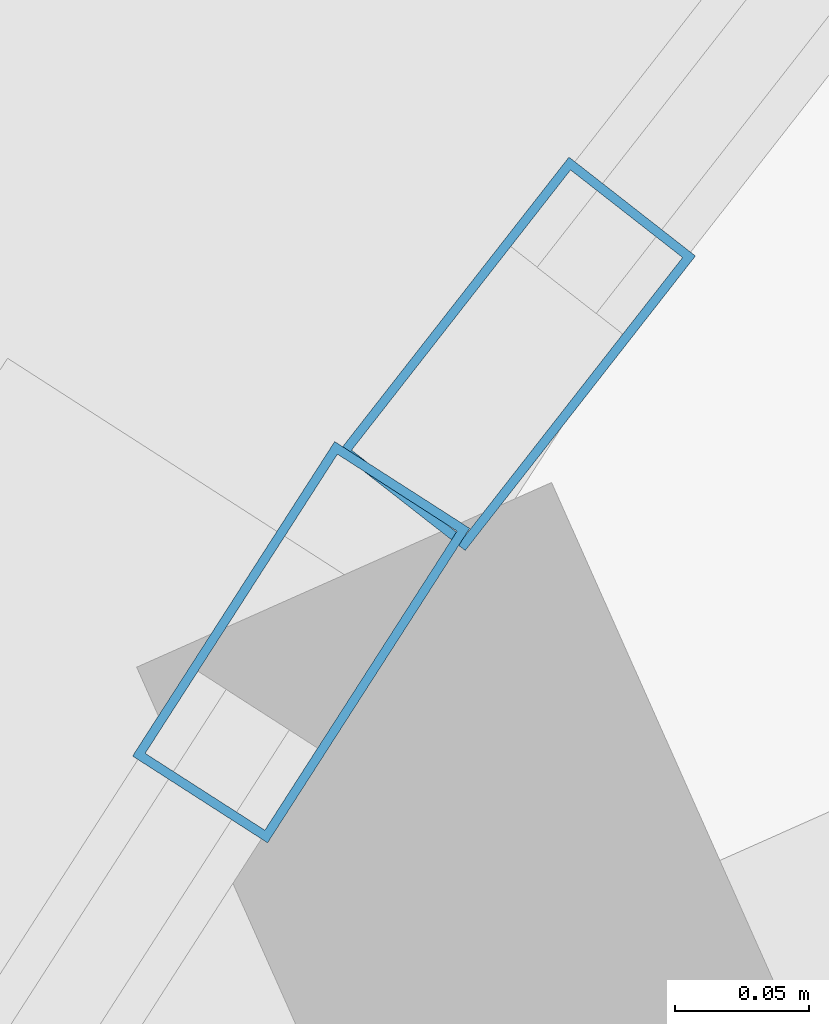
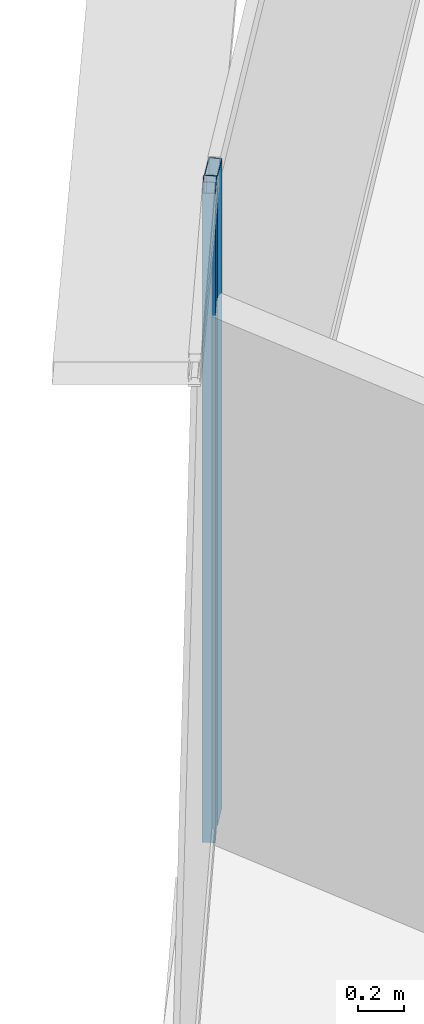
# One storey, part 17 of 36: 2 members, 2 elements without a shape of their own.
"""IFC4 building model written with IfcOpenShell, lengths in metres."""

import ifcopenshell
import ifcopenshell.guid

model = None  # the IFC model being written
_history = None  # IfcOwnerHistory: only IFC2X3 demands one
_inside = {}  # id of a spatial element -> (the spatial element, [elements in it])
_under = {}  # id of a project, library or spatial element -> (it, [spatial elements below it])
_declared = {}  # id of a project -> (the project, [libraries it declares])
_typed = {}  # id of a type object -> (the type object, [elements of that type])
_made_of = {}  # id of a material, layer set ... -> (it, [elements and type objects made of it])


def new_model(schema):
    """Start an empty IFC model of exactly this schema.

    Asked for "IFC4X3", IfcOpenShell would pick the latest addendum, in which some entities
    have other attributes; the version numbers below select the first issue.
    IFC2X3 requires an IfcOwnerHistory on every rooted entity: one is made here for all.
    """
    global model, _history
    if schema == "IFC4X3":
        model = ifcopenshell.file(schema_version=(4, 3, 0, 0))
    else:
        model = ifcopenshell.file(schema=schema)
    _inside.clear()
    _under.clear()
    _declared.clear()
    _typed.clear()
    _made_of.clear()
    _history = None
    if model.schema == "IFC2X3":
        org = make("IfcOrganization", Name="unknown")
        user = make(
            "IfcPersonAndOrganization",
            ThePerson=make("IfcPerson", FamilyName="unknown"),
            TheOrganization=org,
        )
        app = make(
            "IfcApplication",
            ApplicationDeveloper=org,
            Version="unknown",
            ApplicationFullName="unknown",
            ApplicationIdentifier="unknown",
        )
        _history = make(
            "IfcOwnerHistory",
            OwningUser=user,
            OwningApplication=app,
            ChangeAction="ADDED",
            CreationDate=0,
        )
    return model


def make(cls, **values):
    """One entity of the class cls with the attributes given. An attribute that is None is left unset."""
    return model.create_entity(
        cls, **{name: value for name, value in values.items() if value is not None}
    )


def rooted(cls, **values):
    """An entity with a GlobalId (a new one), such as an element, a storey or a relation."""
    return make(cls, GlobalId=ifcopenshell.guid.new(), OwnerHistory=_history, **values)


def si_unit(unit_type, name, prefix=None):
    """IfcSIUnit, for example si_unit("LENGTHUNIT", "METRE", prefix="MILLI")."""
    return make("IfcSIUnit", UnitType=unit_type, Prefix=prefix, Name=name)


def assignment(units):
    """IfcUnitAssignment: the units of a project."""
    return None if units is None else make("IfcUnitAssignment", Units=units)


def point(xyz):
    """IfcCartesianPoint."""
    return None if xyz is None else make("IfcCartesianPoint", Coordinates=xyz)


def direction(xyz):
    """IfcDirection."""
    return None if xyz is None else make("IfcDirection", DirectionRatios=xyz)


def frame(location, z_axis=None, x_axis=None):
    """IfcAxis2Placement3D, a coordinate frame: its origin and axes. An axis left out is left unset."""
    return make(
        "IfcAxis2Placement3D",
        Location=point(location),
        Axis=direction(z_axis),
        RefDirection=direction(x_axis),
    )


def frame_2d(location, x_axis=None):
    """IfcAxis2Placement2D, a coordinate frame in the plane: its origin and x axis."""
    return make(
        "IfcAxis2Placement2D", Location=point(location), RefDirection=direction(x_axis)
    )


def origin():
    """The frame at (0, 0, 0) with its axes left unset."""
    return frame((0.0, 0.0, 0.0))


def origin_2d():
    """The frame at (0, 0) in the plane with its x axis left unset."""
    return frame_2d((0.0, 0.0))


def place(relative_to, where):
    """IfcLocalPlacement: puts the frame where relative to a parent placement (None: the world)."""
    return make(
        "IfcLocalPlacement", PlacementRelTo=relative_to, RelativePlacement=where
    )


def context(
    kind, dimensions, precision=None, world=None, true_north=None, identifier=None
):
    """IfcGeometricRepresentationContext, for example the 3D "Model" context."""
    return make(
        "IfcGeometricRepresentationContext",
        ContextIdentifier=identifier,
        ContextType=kind,
        CoordinateSpaceDimension=dimensions,
        Precision=precision,
        WorldCoordinateSystem=world,
        TrueNorth=true_north,
    )


def subcontext(parent, identifier, kind, view, scale=None):
    """IfcGeometricRepresentationSubContext, for example "Body" below "Model"."""
    return make(
        "IfcGeometricRepresentationSubContext",
        ContextIdentifier=identifier,
        ContextType=kind,
        ParentContext=parent,
        TargetScale=scale,
        TargetView=view,
    )


def project(units=None, contexts=None):
    """IfcProject with its units and contexts."""
    return rooted(
        "IfcProject",
        Name="project",
        RepresentationContexts=contexts,
        UnitsInContext=assignment(units),
    )


def spatial(cls, under=None, at=None, **own):
    """A site, building, storey or space (cls), placed at a placement, below another one or the project."""
    s = rooted(cls, ObjectPlacement=at, **own)
    if under is not None:
        _under.setdefault(under.id(), (under, []))[1].append(s)
    return s


def profile(cls, at=None, kind="AREA", **sizes):
    """A parametric profile (cls). Its sizes go by their IFC names, for example OverallWidth=200.0."""
    return make(cls, ProfileType=kind, Position=at, **sizes)


def hollow_rectangle(**sizes):
    """IfcRectangleHollowProfileDef."""
    return profile("IfcRectangleHollowProfileDef", **sizes)


def extrude(swept, where, along, depth):
    """IfcExtrudedAreaSolid: the profile swept, set in the frame where, extruded along a direction by depth."""
    return make(
        "IfcExtrudedAreaSolid",
        SweptArea=swept,
        Position=where,
        ExtrudedDirection=direction(along),
        Depth=depth,
    )


def shape(context_of_items, identifier, shape_type, items):
    """IfcShapeRepresentation: the items that make up one representation, for example the "Body"."""
    return make(
        "IfcShapeRepresentation",
        ContextOfItems=context_of_items,
        RepresentationIdentifier=identifier,
        RepresentationType=shape_type,
        Items=items,
    )


def source(mapping_origin, context_of_items, identifier, shape_type, items):
    """IfcRepresentationMap: a shape defined once, which mapped items show again and again."""
    return make(
        "IfcRepresentationMap",
        MappingOrigin=mapping_origin,
        MappedRepresentation=shape(context_of_items, identifier, shape_type, items),
    )


def transform(
    local_origin,
    x_axis=None,
    y_axis=None,
    z_axis=None,
    scale=None,
    scale2=None,
    scale3=None,
    uniform=True,
):
    """IfcCartesianTransformationOperator3D, or its non-uniform kind. x_axis, y_axis, z_axis: its Axis1, 2, 3."""
    if uniform:
        return make(
            "IfcCartesianTransformationOperator3D",
            Axis1=direction(x_axis),
            Axis2=direction(y_axis),
            LocalOrigin=point(local_origin),
            Scale=scale,
            Axis3=direction(z_axis),
        )
    return make(
        "IfcCartesianTransformationOperator3DnonUniform",
        Axis1=direction(x_axis),
        Axis2=direction(y_axis),
        LocalOrigin=point(local_origin),
        Scale=scale,
        Axis3=direction(z_axis),
        Scale2=scale2,
        Scale3=scale3,
    )


def mapped(mapping_source, mapping_target):
    """IfcMappedItem: shows the shape of a source again, moved by a transform."""
    return make(
        "IfcMappedItem", MappingSource=mapping_source, MappingTarget=mapping_target
    )


def material(Name=None, Category=None):
    """IfcMaterial."""
    return make("IfcMaterial", Name=Name, Category=Category)


def layer(
    of_material, thickness, ventilated=None, Name=None, Category=None, Priority=None
):
    """IfcMaterialLayer: one layer of a wall or slab, of a material (None: an air gap)."""
    return make(
        "IfcMaterialLayer",
        Material=of_material,
        LayerThickness=thickness,
        IsVentilated=ventilated,
        Name=Name,
        Category=Category,
        Priority=Priority,
    )


def layer_set(layers, Name=None):
    """IfcMaterialLayerSet."""
    return make("IfcMaterialLayerSet", MaterialLayers=layers, LayerSetName=Name)


def material_profile(
    of_material, cross_section, Name=None, Category=None, Priority=None
):
    """IfcMaterialProfile: a cross section and its material."""
    return make(
        "IfcMaterialProfile",
        Name=Name,
        Material=of_material,
        Profile=cross_section,
        Priority=Priority,
        Category=Category,
    )


def profile_set(profiles, Name=None, composite=None):
    """IfcMaterialProfileSet."""
    return make(
        "IfcMaterialProfileSet",
        Name=Name,
        MaterialProfiles=profiles,
        CompositeProfile=composite,
    )


def made_of(thing, what):
    """Note that an element or type object is made of a material, layer set ...; save() writes the relation."""
    if what is not None:
        _made_of.setdefault(what.id(), (what, []))[1].append(thing)
    return thing


def type_object(cls, material=None, **own):
    """A type object (cls), such as IfcWallType, which elements share."""
    return made_of(rooted(cls, **own), material)


def element(
    cls,
    number,
    at=None,
    inside=None,
    cuts=None,
    type_object=None,
    material=None,
    context=None,
    identifier="Body",
    shape_type=None,
    held_by="IfcProductDefinitionShape",
    body=None,
    shapes=None,
    **own,
):
    """One element of the class cls, such as IfcWall. Its Tag is "e" and its number.

    at: its placement. inside: the storey or other place that contains it. cuts: it is an
    opening in that element (IfcRelVoidsElement). A single representation is given by context,
    identifier, shape_type and body (its items); several are given by shapes. held_by: the class
    of the entity that holds the representations. save() writes the other relations.
    """
    e = rooted(cls, Tag="e%d" % number, ObjectPlacement=at, **own)
    if body is not None:
        shapes = [shape(context, identifier, shape_type, body)]
    if shapes is not None:
        e.Representation = make(held_by, Representations=shapes)
    if inside is not None:
        _inside.setdefault(inside.id(), (inside, []))[1].append(e)
    if cuts is not None:
        rooted(
            "IfcRelVoidsElement", RelatingBuildingElement=cuts, RelatedOpeningElement=e
        )
    if type_object is not None:
        _typed.setdefault(type_object.id(), (type_object, []))[1].append(e)
    return made_of(e, material)


def aggregate(whole, parts):
    """IfcRelAggregates: a whole, such as a stair, and the parts it consists of."""
    return rooted("IfcRelAggregates", RelatingObject=whole, RelatedObjects=parts)


def save(model, path):
    """Write the relations noted so far, then the file.

    IfcRelAggregates (storeys below a building ...), IfcRelContainedInSpatialStructure (elements
    in a storey), IfcRelDefinesByType, IfcRelAssociatesMaterial and IfcRelDeclares: one each for
    every whole, place, type object, material and project.
    """
    for whole, parts in _under.values():
        aggregate(whole, parts)
    for where, things in _inside.values():
        rooted(
            "IfcRelContainedInSpatialStructure",
            RelatedElements=things,
            RelatingStructure=where,
        )
    for kind, things in _typed.values():
        rooted("IfcRelDefinesByType", RelatedObjects=things, RelatingType=kind)
    for what, things in _made_of.values():
        rooted("IfcRelAssociatesMaterial", RelatedObjects=things, RelatingMaterial=what)
    for by, libraries in _declared.values():
        rooted("IfcRelDeclares", RelatingContext=by, RelatedDefinitions=libraries)
    model.write(path)


model = new_model("IFC4")

# Units and contexts
model_context = context("Model", 3, precision=1e-05, world=origin(), true_north=direction((0.0, 1.0)))
body_context = subcontext(model_context, "Body", "Model", "MODEL_VIEW")
ifc_project = project(units=[si_unit("LENGTHUNIT", "METRE"), si_unit("AREAUNIT", "SQUARE_METRE"), si_unit("VOLUMEUNIT", "CUBIC_METRE"), si_unit("PLANEANGLEUNIT", "RADIAN"), si_unit("MASSUNIT", "GRAM", prefix="KILO"), si_unit("THERMODYNAMICTEMPERATUREUNIT", "KELVIN"), si_unit("POWERUNIT", "WATT")], contexts=[model_context])

# Site, building, storey
site_placement = place(None, origin())
site = spatial("IfcSite", under=ifc_project, at=site_placement, CompositionType="ELEMENT")
building_placement = place(site_placement, origin())
building = spatial("IfcBuilding", under=site, at=building_placement, Name="Yunzhuo Pagoda Commons", CompositionType="ELEMENT")
storey_placement = place(building_placement, frame((0.0, 0.0, 244.530029296875)))
storey = spatial("IfcBuildingStorey", under=building, at=storey_placement, Name="L61", CompositionType="ELEMENT", Elevation=244.530029296875)

# Curtain wall, member
ifc_material = material(Name="Anodized aluminium 6063-T6", Category="aluminium")
ifc_layer = layer(ifc_material, 0.139892578125)
ifc_layer_set = layer_set([ifc_layer], Name="Anodized aluminium 6063-T6")
curtain_wall_type = type_object("IfcCurtainWallType", Name="CW-HI High-Zone Ribbon Curtain Wall", PredefinedType="NOTDEFINED", material=ifc_layer_set)
curtain_wall_1_placement = place(storey_placement, origin())
curtain_wall_1 = element("IfcCurtainWall", 1, at=curtain_wall_1_placement, inside=storey, type_object=curtain_wall_type, Name="L61 curtain wall CW-L61-F3B2", PredefinedType="NOTDEFINED")
ifc_material_profile = material_profile(ifc_material, hollow_rectangle(XDim=0.06005859375, YDim=0.139892578125, WallThickness=0.00341796875, at=origin_2d()), Name="Anodized aluminium 6063-T6")
ifc_profile_set = profile_set([ifc_material_profile], Name="Anodized aluminium 6063-T6")
member_type = type_object("IfcMemberType", Name="CW-HI-M Mullion RHS 140x60x3.5", PredefinedType="MULLION", material=ifc_profile_set)
shared_shape = source(origin(), body_context, "Body", "SweptSolid", [
    extrude(hollow_rectangle(XDim=0.06005859375, YDim=0.139892578125, WallThickness=0.00341796875, at=origin_2d()), origin(), (0.0, 0.0, 1.0), 3.469970703125),
])
member_1_placement = place(storey_placement, frame((33.50390625, 66.197265625, 0.0), z_axis=(0.0, 0.0, 1.0), x_axis=(0.841269037614, -0.540616690782, 0.0)))
member_1 = element("IfcMember", 2, at=member_1_placement, type_object=member_type, Name="CW mullion 1", PredefinedType="MULLION", context=body_context, shape_type="MappedRepresentation", body=[
    mapped(shared_shape, transform((0.0, 0.0, 0.0), scale=1.0)),
])
aggregate(curtain_wall_1, [member_1])

curtain_wall_2_placement = place(storey_placement, origin())
curtain_wall_2 = element("IfcCurtainWall", 3, at=curtain_wall_2_placement, inside=storey, type_object=curtain_wall_type, Name="L61 curtain wall CW-L61-F3B1", PredefinedType="NOTDEFINED")
member_2_placement = place(storey_placement, frame((33.584716796875, 66.30517578125, 0.0), z_axis=(0.0, 0.0, 1.0), x_axis=(0.787911077131, -0.615789034114, 0.0)))
member_2 = element("IfcMember", 4, at=member_2_placement, type_object=member_type, Name="CW mullion 2", PredefinedType="MULLION", context=body_context, shape_type="MappedRepresentation", body=[
    mapped(shared_shape, transform((0.0, 0.0, 0.0), scale=1.0)),
])
aggregate(curtain_wall_2, [member_2])

save(model, "model.ifc")
